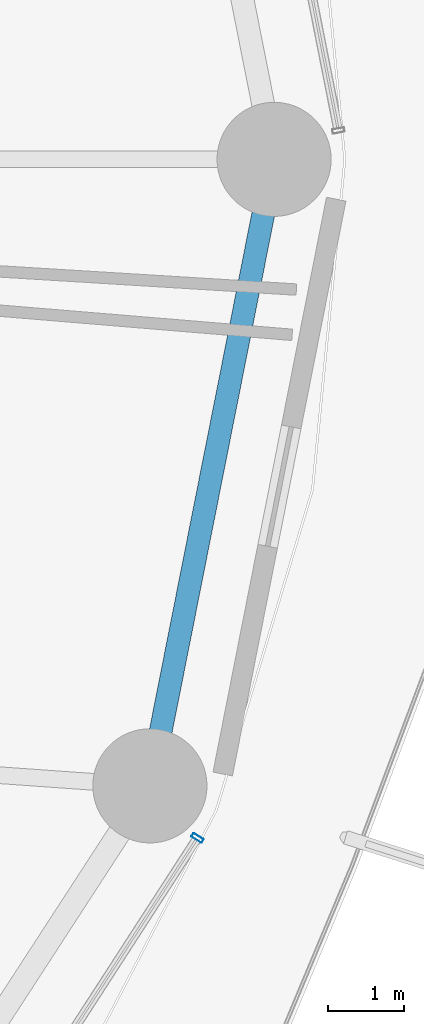
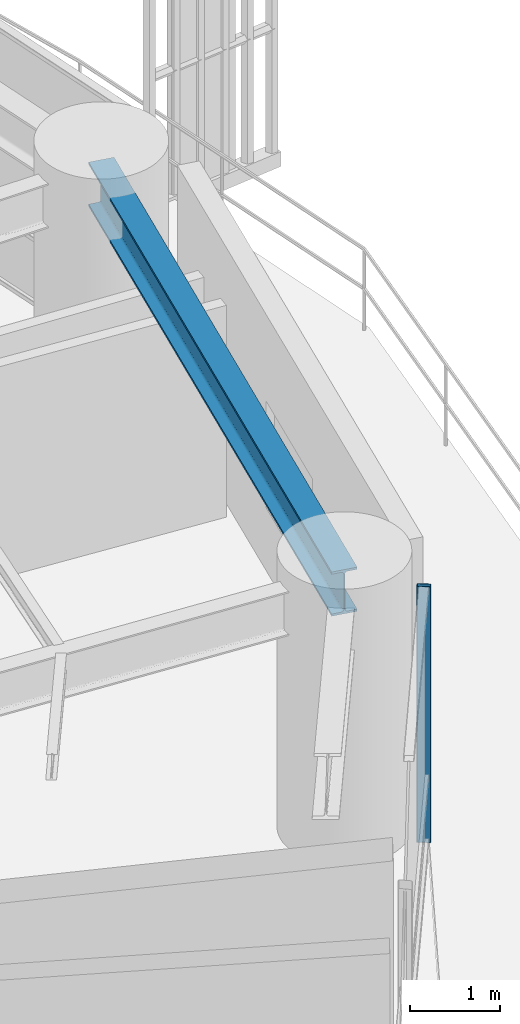
# One storey, part 12 of 32: 1 beam, 1 member, 1 element without a shape of its own.
"""IFC4 building model written with IfcOpenShell, lengths in metres."""

import ifcopenshell
import ifcopenshell.guid

model = None  # the IFC model being written
_history = None  # IfcOwnerHistory: only IFC2X3 demands one
_inside = {}  # id of a spatial element -> (the spatial element, [elements in it])
_under = {}  # id of a project, library or spatial element -> (it, [spatial elements below it])
_declared = {}  # id of a project -> (the project, [libraries it declares])
_typed = {}  # id of a type object -> (the type object, [elements of that type])
_made_of = {}  # id of a material, layer set ... -> (it, [elements and type objects made of it])


def new_model(schema):
    """Start an empty IFC model of exactly this schema.

    Asked for "IFC4X3", IfcOpenShell would pick the latest addendum, in which some entities
    have other attributes; the version numbers below select the first issue.
    IFC2X3 requires an IfcOwnerHistory on every rooted entity: one is made here for all.
    """
    global model, _history
    if schema == "IFC4X3":
        model = ifcopenshell.file(schema_version=(4, 3, 0, 0))
    else:
        model = ifcopenshell.file(schema=schema)
    _inside.clear()
    _under.clear()
    _declared.clear()
    _typed.clear()
    _made_of.clear()
    _history = None
    if model.schema == "IFC2X3":
        org = make("IfcOrganization", Name="unknown")
        user = make(
            "IfcPersonAndOrganization",
            ThePerson=make("IfcPerson", FamilyName="unknown"),
            TheOrganization=org,
        )
        app = make(
            "IfcApplication",
            ApplicationDeveloper=org,
            Version="unknown",
            ApplicationFullName="unknown",
            ApplicationIdentifier="unknown",
        )
        _history = make(
            "IfcOwnerHistory",
            OwningUser=user,
            OwningApplication=app,
            ChangeAction="ADDED",
            CreationDate=0,
        )
    return model


def make(cls, **values):
    """One entity of the class cls with the attributes given. An attribute that is None is left unset."""
    return model.create_entity(
        cls, **{name: value for name, value in values.items() if value is not None}
    )


def rooted(cls, **values):
    """An entity with a GlobalId (a new one), such as an element, a storey or a relation."""
    return make(cls, GlobalId=ifcopenshell.guid.new(), OwnerHistory=_history, **values)


def si_unit(unit_type, name, prefix=None):
    """IfcSIUnit, for example si_unit("LENGTHUNIT", "METRE", prefix="MILLI")."""
    return make("IfcSIUnit", UnitType=unit_type, Prefix=prefix, Name=name)


def assignment(units):
    """IfcUnitAssignment: the units of a project."""
    return None if units is None else make("IfcUnitAssignment", Units=units)


def point(xyz):
    """IfcCartesianPoint."""
    return None if xyz is None else make("IfcCartesianPoint", Coordinates=xyz)


def direction(xyz):
    """IfcDirection."""
    return None if xyz is None else make("IfcDirection", DirectionRatios=xyz)


def frame(location, z_axis=None, x_axis=None):
    """IfcAxis2Placement3D, a coordinate frame: its origin and axes. An axis left out is left unset."""
    return make(
        "IfcAxis2Placement3D",
        Location=point(location),
        Axis=direction(z_axis),
        RefDirection=direction(x_axis),
    )


def frame_2d(location, x_axis=None):
    """IfcAxis2Placement2D, a coordinate frame in the plane: its origin and x axis."""
    return make(
        "IfcAxis2Placement2D", Location=point(location), RefDirection=direction(x_axis)
    )


def origin():
    """The frame at (0, 0, 0) with its axes left unset."""
    return frame((0.0, 0.0, 0.0))


def origin_2d():
    """The frame at (0, 0) in the plane with its x axis left unset."""
    return frame_2d((0.0, 0.0))


def place(relative_to, where):
    """IfcLocalPlacement: puts the frame where relative to a parent placement (None: the world)."""
    return make(
        "IfcLocalPlacement", PlacementRelTo=relative_to, RelativePlacement=where
    )


def context(
    kind, dimensions, precision=None, world=None, true_north=None, identifier=None
):
    """IfcGeometricRepresentationContext, for example the 3D "Model" context."""
    return make(
        "IfcGeometricRepresentationContext",
        ContextIdentifier=identifier,
        ContextType=kind,
        CoordinateSpaceDimension=dimensions,
        Precision=precision,
        WorldCoordinateSystem=world,
        TrueNorth=true_north,
    )


def subcontext(parent, identifier, kind, view, scale=None):
    """IfcGeometricRepresentationSubContext, for example "Body" below "Model"."""
    return make(
        "IfcGeometricRepresentationSubContext",
        ContextIdentifier=identifier,
        ContextType=kind,
        ParentContext=parent,
        TargetScale=scale,
        TargetView=view,
    )


def project(units=None, contexts=None):
    """IfcProject with its units and contexts."""
    return rooted(
        "IfcProject",
        Name="project",
        RepresentationContexts=contexts,
        UnitsInContext=assignment(units),
    )


def spatial(cls, under=None, at=None, **own):
    """A site, building, storey or space (cls), placed at a placement, below another one or the project."""
    s = rooted(cls, ObjectPlacement=at, **own)
    if under is not None:
        _under.setdefault(under.id(), (under, []))[1].append(s)
    return s


def profile(cls, at=None, kind="AREA", **sizes):
    """A parametric profile (cls). Its sizes go by their IFC names, for example OverallWidth=200.0."""
    return make(cls, ProfileType=kind, Position=at, **sizes)


def hollow_rectangle(**sizes):
    """IfcRectangleHollowProfileDef."""
    return profile("IfcRectangleHollowProfileDef", **sizes)


def i_section(**sizes):
    """IfcIShapeProfileDef."""
    return profile("IfcIShapeProfileDef", **sizes)


def extrude(swept, where, along, depth):
    """IfcExtrudedAreaSolid: the profile swept, set in the frame where, extruded along a direction by depth."""
    return make(
        "IfcExtrudedAreaSolid",
        SweptArea=swept,
        Position=where,
        ExtrudedDirection=direction(along),
        Depth=depth,
    )


def shape(context_of_items, identifier, shape_type, items):
    """IfcShapeRepresentation: the items that make up one representation, for example the "Body"."""
    return make(
        "IfcShapeRepresentation",
        ContextOfItems=context_of_items,
        RepresentationIdentifier=identifier,
        RepresentationType=shape_type,
        Items=items,
    )


def material(Name=None, Category=None):
    """IfcMaterial."""
    return make("IfcMaterial", Name=Name, Category=Category)


def layer(
    of_material, thickness, ventilated=None, Name=None, Category=None, Priority=None
):
    """IfcMaterialLayer: one layer of a wall or slab, of a material (None: an air gap)."""
    return make(
        "IfcMaterialLayer",
        Material=of_material,
        LayerThickness=thickness,
        IsVentilated=ventilated,
        Name=Name,
        Category=Category,
        Priority=Priority,
    )


def layer_set(layers, Name=None):
    """IfcMaterialLayerSet."""
    return make("IfcMaterialLayerSet", MaterialLayers=layers, LayerSetName=Name)


def material_profile(
    of_material, cross_section, Name=None, Category=None, Priority=None
):
    """IfcMaterialProfile: a cross section and its material."""
    return make(
        "IfcMaterialProfile",
        Name=Name,
        Material=of_material,
        Profile=cross_section,
        Priority=Priority,
        Category=Category,
    )


def profile_set(profiles, Name=None, composite=None):
    """IfcMaterialProfileSet."""
    return make(
        "IfcMaterialProfileSet",
        Name=Name,
        MaterialProfiles=profiles,
        CompositeProfile=composite,
    )


def made_of(thing, what):
    """Note that an element or type object is made of a material, layer set ...; save() writes the relation."""
    if what is not None:
        _made_of.setdefault(what.id(), (what, []))[1].append(thing)
    return thing


def type_object(cls, material=None, **own):
    """A type object (cls), such as IfcWallType, which elements share."""
    return made_of(rooted(cls, **own), material)


def element(
    cls,
    number,
    at=None,
    inside=None,
    cuts=None,
    type_object=None,
    material=None,
    context=None,
    identifier="Body",
    shape_type=None,
    held_by="IfcProductDefinitionShape",
    body=None,
    shapes=None,
    **own,
):
    """One element of the class cls, such as IfcWall. Its Tag is "e" and its number.

    at: its placement. inside: the storey or other place that contains it. cuts: it is an
    opening in that element (IfcRelVoidsElement). A single representation is given by context,
    identifier, shape_type and body (its items); several are given by shapes. held_by: the class
    of the entity that holds the representations. save() writes the other relations.
    """
    e = rooted(cls, Tag="e%d" % number, ObjectPlacement=at, **own)
    if body is not None:
        shapes = [shape(context, identifier, shape_type, body)]
    if shapes is not None:
        e.Representation = make(held_by, Representations=shapes)
    if inside is not None:
        _inside.setdefault(inside.id(), (inside, []))[1].append(e)
    if cuts is not None:
        rooted(
            "IfcRelVoidsElement", RelatingBuildingElement=cuts, RelatedOpeningElement=e
        )
    if type_object is not None:
        _typed.setdefault(type_object.id(), (type_object, []))[1].append(e)
    return made_of(e, material)


def aggregate(whole, parts):
    """IfcRelAggregates: a whole, such as a stair, and the parts it consists of."""
    return rooted("IfcRelAggregates", RelatingObject=whole, RelatedObjects=parts)


def save(model, path):
    """Write the relations noted so far, then the file.

    IfcRelAggregates (storeys below a building ...), IfcRelContainedInSpatialStructure (elements
    in a storey), IfcRelDefinesByType, IfcRelAssociatesMaterial and IfcRelDeclares: one each for
    every whole, place, type object, material and project.
    """
    for whole, parts in _under.values():
        aggregate(whole, parts)
    for where, things in _inside.values():
        rooted(
            "IfcRelContainedInSpatialStructure",
            RelatedElements=things,
            RelatingStructure=where,
        )
    for kind, things in _typed.values():
        rooted("IfcRelDefinesByType", RelatedObjects=things, RelatingType=kind)
    for what, things in _made_of.values():
        rooted("IfcRelAssociatesMaterial", RelatedObjects=things, RelatingMaterial=what)
    for by, libraries in _declared.values():
        rooted("IfcRelDeclares", RelatingContext=by, RelatedDefinitions=libraries)
    model.write(path)


model = new_model("IFC4")

# Units and contexts
model_context = context("Model", 3, precision=1e-05, world=origin(), true_north=direction((0.0, 1.0)))
body_context = subcontext(model_context, "Body", "Model", "MODEL_VIEW")
ifc_project = project(units=[si_unit("LENGTHUNIT", "METRE"), si_unit("AREAUNIT", "SQUARE_METRE"), si_unit("VOLUMEUNIT", "CUBIC_METRE"), si_unit("PLANEANGLEUNIT", "RADIAN"), si_unit("MASSUNIT", "GRAM", prefix="KILO")], contexts=[model_context])

# Site, building, storey
site_placement = place(None, origin())
site = spatial("IfcSite", under=ifc_project, at=site_placement, CompositionType="ELEMENT")
building_placement = place(site_placement, origin())
building = spatial("IfcBuilding", under=site, at=building_placement, Name="Kelanora Arch Commons", CompositionType="ELEMENT")
storey_placement = place(building_placement, frame((0.0, 0.0, 56.25)))
storey = spatial("IfcBuildingStorey", under=building, at=storey_placement, Name="L14", CompositionType="ELEMENT", Elevation=56.25)

# Beam
ifc_material_1 = material(Name="Steel S355", Category="steel")
ifc_material_profile_1 = material_profile(ifc_material_1, i_section(OverallWidth=0.300048828125, OverallDepth=0.60009765625, WebThickness=0.015380859375, FlangeThickness=0.030029296875, FilletRadius=0.027099609375, at=origin_2d()), Name="HEB600")
ifc_profile_set_1 = profile_set([ifc_material_profile_1], Name="Steel S355")
beam_type = type_object("IfcBeamType", Name="BM-SPN-Z1", PredefinedType="SPANDREL", material=ifc_profile_set_1)
beam_placement = place(storey_placement, frame((99.447021484375, 49.76416015625, 3.18994140625), z_axis=(0.194499827256, 0.980902552345, 0.0), x_axis=(-0.980902552345, 0.194499827256, 0.0)))
element("IfcBeam", 1, at=beam_placement, inside=storey, type_object=beam_type, Name="Perimeter Spandrel Beam BS-34 L14", PredefinedType="SPANDREL", context=body_context, shape_type="SweptSolid", body=[
    extrude(i_section(OverallWidth=0.300048828125, OverallDepth=0.60009765625, WebThickness=0.015380859375, FlangeThickness=0.030029296875, FilletRadius=0.027099609375, at=origin_2d()), origin(), (0.0, 0.0, 1.0), 8.396240234375),
])

# Curtain wall, member
ifc_material_2 = material(Name="Terracotta ceramic-fritted low-E glass and aluminium", Category="masonry")
ifc_layer = layer(ifc_material_2, 0.159912109375)
ifc_layer_set = layer_set([ifc_layer], Name="Terracotta ceramic-fritted low-E glass and aluminium")
curtain_wall_type = type_object("IfcCurtainWallType", Name="CW-SYS-01", PredefinedType="NOTDEFINED", material=ifc_layer_set)
curtain_wall_placement = place(storey_placement, origin())
curtain_wall = element("IfcCurtainWall", 2, at=curtain_wall_placement, inside=storey, type_object=curtain_wall_type, Name="Unitised Curtain Wall L14-B16", PredefinedType="NOTDEFINED")
ifc_material_3 = material(Name="Powder-coated aluminium terracotta", Category="masonry")
ifc_material_profile_2 = material_profile(ifc_material_3, hollow_rectangle(XDim=0.159912109375, YDim=0.06005859375, WallThickness=0.0048828125, InnerFilletRadius=0.0048828125, OuterFilletRadius=0.010009765625, at=origin_2d()), Name="CWM160x60")
ifc_profile_set_2 = profile_set([ifc_material_profile_2], Name="Powder-coated aluminium terracotta")
member_type = type_object("IfcMemberType", Name="CWM-STD", PredefinedType="MULLION", material=ifc_profile_set_2)
member_placement = place(storey_placement, frame((100.072265625, 49.07958984375, 0.0), z_axis=(0.0, 0.0, 1.0), x_axis=(-0.83972982332, 0.543004441812, 0.0)))
member = element("IfcMember", 3, at=member_placement, type_object=member_type, Name="CW-01 mullion 3", PredefinedType="MULLION", context=body_context, shape_type="SweptSolid", body=[
    extrude(hollow_rectangle(XDim=0.159912109375, YDim=0.06005859375, WallThickness=0.0048828125, InnerFilletRadius=0.0048828125, OuterFilletRadius=0.010009765625, at=origin_2d()), origin(), (0.0, 0.0, 1.0), 3.47509765625),
])
aggregate(curtain_wall, [member])

save(model, "model.ifc")
